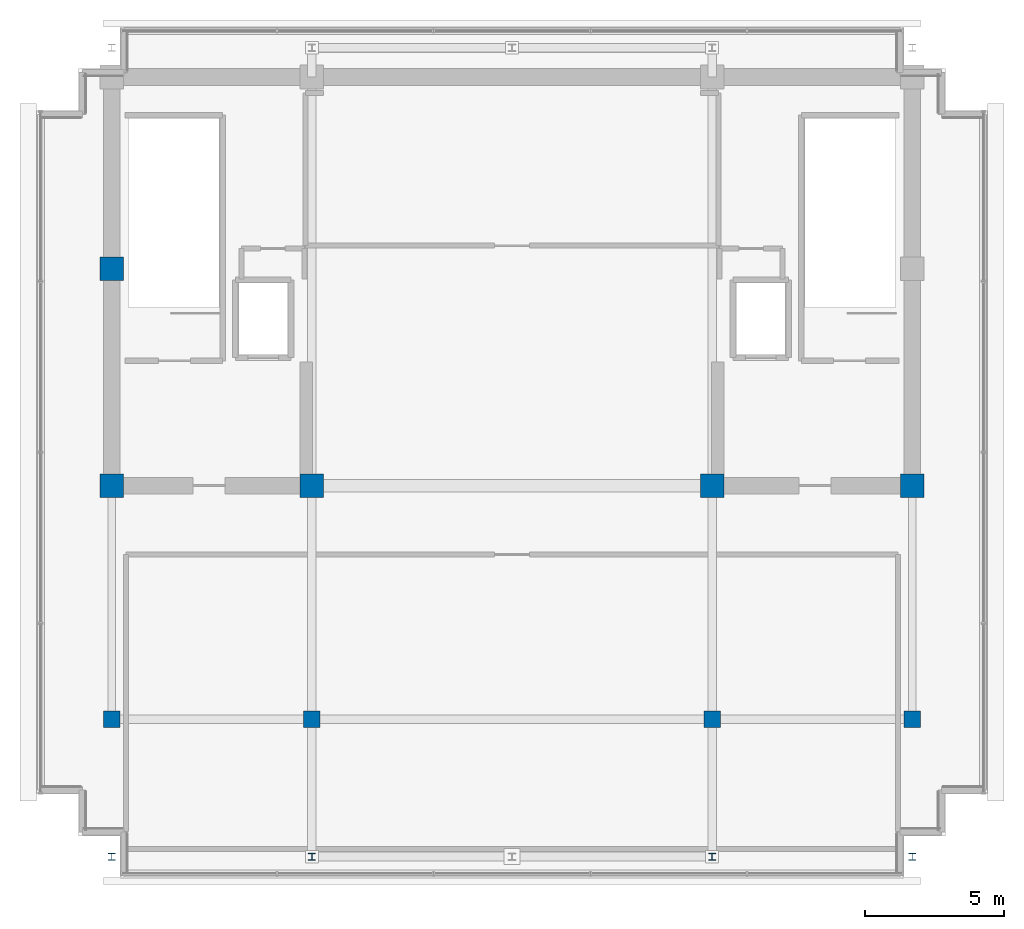
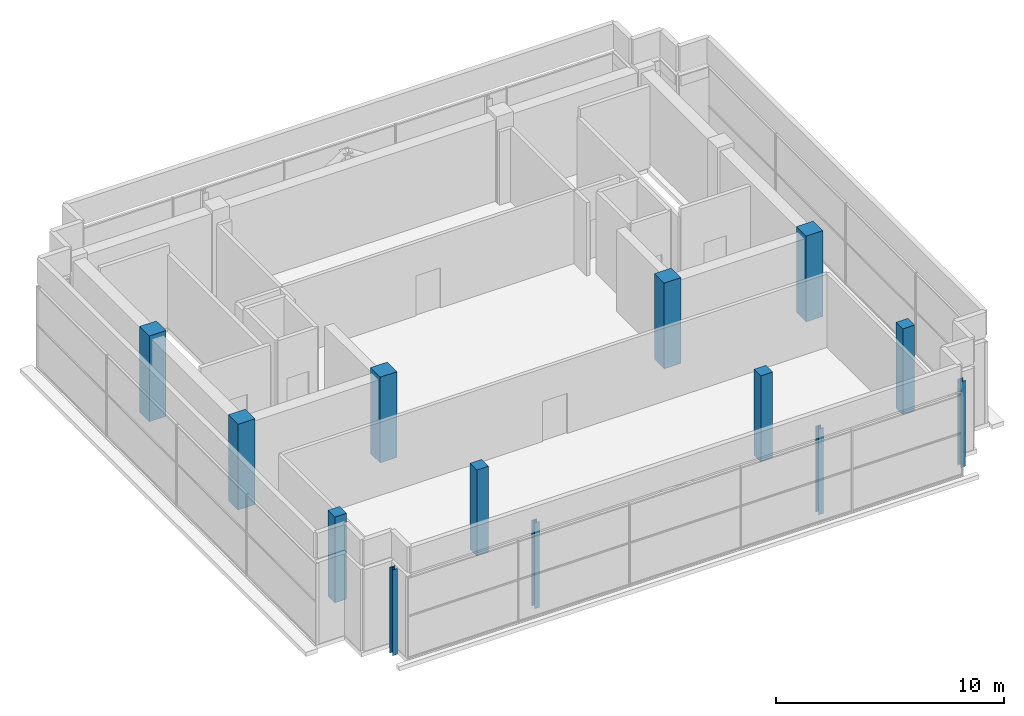
# One storey, part 1 of 22: 13 columns.
"""IFC4 building model written with IfcOpenShell, lengths in metres."""

import ifcopenshell
import ifcopenshell.guid

model = None  # the IFC model being written
_history = None  # IfcOwnerHistory: only IFC2X3 demands one
_inside = {}  # id of a spatial element -> (the spatial element, [elements in it])
_under = {}  # id of a project, library or spatial element -> (it, [spatial elements below it])
_declared = {}  # id of a project -> (the project, [libraries it declares])
_typed = {}  # id of a type object -> (the type object, [elements of that type])
_made_of = {}  # id of a material, layer set ... -> (it, [elements and type objects made of it])


def new_model(schema):
    """Start an empty IFC model of exactly this schema.

    Asked for "IFC4X3", IfcOpenShell would pick the latest addendum, in which some entities
    have other attributes; the version numbers below select the first issue.
    IFC2X3 requires an IfcOwnerHistory on every rooted entity: one is made here for all.
    """
    global model, _history
    if schema == "IFC4X3":
        model = ifcopenshell.file(schema_version=(4, 3, 0, 0))
    else:
        model = ifcopenshell.file(schema=schema)
    _inside.clear()
    _under.clear()
    _declared.clear()
    _typed.clear()
    _made_of.clear()
    _history = None
    if model.schema == "IFC2X3":
        org = make("IfcOrganization", Name="unknown")
        user = make(
            "IfcPersonAndOrganization",
            ThePerson=make("IfcPerson", FamilyName="unknown"),
            TheOrganization=org,
        )
        app = make(
            "IfcApplication",
            ApplicationDeveloper=org,
            Version="unknown",
            ApplicationFullName="unknown",
            ApplicationIdentifier="unknown",
        )
        _history = make(
            "IfcOwnerHistory",
            OwningUser=user,
            OwningApplication=app,
            ChangeAction="ADDED",
            CreationDate=0,
        )
    return model


def make(cls, **values):
    """One entity of the class cls with the attributes given. An attribute that is None is left unset."""
    return model.create_entity(
        cls, **{name: value for name, value in values.items() if value is not None}
    )


def rooted(cls, **values):
    """An entity with a GlobalId (a new one), such as an element, a storey or a relation."""
    return make(cls, GlobalId=ifcopenshell.guid.new(), OwnerHistory=_history, **values)


def si_unit(unit_type, name, prefix=None):
    """IfcSIUnit, for example si_unit("LENGTHUNIT", "METRE", prefix="MILLI")."""
    return make("IfcSIUnit", UnitType=unit_type, Prefix=prefix, Name=name)


def assignment(units):
    """IfcUnitAssignment: the units of a project."""
    return None if units is None else make("IfcUnitAssignment", Units=units)


def point(xyz):
    """IfcCartesianPoint."""
    return None if xyz is None else make("IfcCartesianPoint", Coordinates=xyz)


def direction(xyz):
    """IfcDirection."""
    return None if xyz is None else make("IfcDirection", DirectionRatios=xyz)


def frame(location, z_axis=None, x_axis=None):
    """IfcAxis2Placement3D, a coordinate frame: its origin and axes. An axis left out is left unset."""
    return make(
        "IfcAxis2Placement3D",
        Location=point(location),
        Axis=direction(z_axis),
        RefDirection=direction(x_axis),
    )


def frame_2d(location, x_axis=None):
    """IfcAxis2Placement2D, a coordinate frame in the plane: its origin and x axis."""
    return make(
        "IfcAxis2Placement2D", Location=point(location), RefDirection=direction(x_axis)
    )


def origin():
    """The frame at (0, 0, 0) with its axes left unset."""
    return frame((0.0, 0.0, 0.0))


def origin_2d():
    """The frame at (0, 0) in the plane with its x axis left unset."""
    return frame_2d((0.0, 0.0))


def place(relative_to, where):
    """IfcLocalPlacement: puts the frame where relative to a parent placement (None: the world)."""
    return make(
        "IfcLocalPlacement", PlacementRelTo=relative_to, RelativePlacement=where
    )


def context(
    kind, dimensions, precision=None, world=None, true_north=None, identifier=None
):
    """IfcGeometricRepresentationContext, for example the 3D "Model" context."""
    return make(
        "IfcGeometricRepresentationContext",
        ContextIdentifier=identifier,
        ContextType=kind,
        CoordinateSpaceDimension=dimensions,
        Precision=precision,
        WorldCoordinateSystem=world,
        TrueNorth=true_north,
    )


def subcontext(parent, identifier, kind, view, scale=None):
    """IfcGeometricRepresentationSubContext, for example "Body" below "Model"."""
    return make(
        "IfcGeometricRepresentationSubContext",
        ContextIdentifier=identifier,
        ContextType=kind,
        ParentContext=parent,
        TargetScale=scale,
        TargetView=view,
    )


def project(units=None, contexts=None):
    """IfcProject with its units and contexts."""
    return rooted(
        "IfcProject",
        Name="project",
        RepresentationContexts=contexts,
        UnitsInContext=assignment(units),
    )


def spatial(cls, under=None, at=None, **own):
    """A site, building, storey or space (cls), placed at a placement, below another one or the project."""
    s = rooted(cls, ObjectPlacement=at, **own)
    if under is not None:
        _under.setdefault(under.id(), (under, []))[1].append(s)
    return s


def profile(cls, at=None, kind="AREA", **sizes):
    """A parametric profile (cls). Its sizes go by their IFC names, for example OverallWidth=200.0."""
    return make(cls, ProfileType=kind, Position=at, **sizes)


def rectangle(**sizes):
    """IfcRectangleProfileDef."""
    return profile("IfcRectangleProfileDef", **sizes)


def i_section(**sizes):
    """IfcIShapeProfileDef."""
    return profile("IfcIShapeProfileDef", **sizes)


def extrude(swept, where, along, depth):
    """IfcExtrudedAreaSolid: the profile swept, set in the frame where, extruded along a direction by depth."""
    return make(
        "IfcExtrudedAreaSolid",
        SweptArea=swept,
        Position=where,
        ExtrudedDirection=direction(along),
        Depth=depth,
    )


def shape(context_of_items, identifier, shape_type, items):
    """IfcShapeRepresentation: the items that make up one representation, for example the "Body"."""
    return make(
        "IfcShapeRepresentation",
        ContextOfItems=context_of_items,
        RepresentationIdentifier=identifier,
        RepresentationType=shape_type,
        Items=items,
    )


def material(Name=None, Category=None):
    """IfcMaterial."""
    return make("IfcMaterial", Name=Name, Category=Category)


def material_profile(
    of_material, cross_section, Name=None, Category=None, Priority=None
):
    """IfcMaterialProfile: a cross section and its material."""
    return make(
        "IfcMaterialProfile",
        Name=Name,
        Material=of_material,
        Profile=cross_section,
        Priority=Priority,
        Category=Category,
    )


def profile_set(profiles, Name=None, composite=None):
    """IfcMaterialProfileSet."""
    return make(
        "IfcMaterialProfileSet",
        Name=Name,
        MaterialProfiles=profiles,
        CompositeProfile=composite,
    )


def made_of(thing, what):
    """Note that an element or type object is made of a material, layer set ...; save() writes the relation."""
    if what is not None:
        _made_of.setdefault(what.id(), (what, []))[1].append(thing)
    return thing


def type_object(cls, material=None, **own):
    """A type object (cls), such as IfcWallType, which elements share."""
    return made_of(rooted(cls, **own), material)


def element(
    cls,
    number,
    at=None,
    inside=None,
    cuts=None,
    type_object=None,
    material=None,
    context=None,
    identifier="Body",
    shape_type=None,
    held_by="IfcProductDefinitionShape",
    body=None,
    shapes=None,
    **own,
):
    """One element of the class cls, such as IfcWall. Its Tag is "e" and its number.

    at: its placement. inside: the storey or other place that contains it. cuts: it is an
    opening in that element (IfcRelVoidsElement). A single representation is given by context,
    identifier, shape_type and body (its items); several are given by shapes. held_by: the class
    of the entity that holds the representations. save() writes the other relations.
    """
    e = rooted(cls, Tag="e%d" % number, ObjectPlacement=at, **own)
    if body is not None:
        shapes = [shape(context, identifier, shape_type, body)]
    if shapes is not None:
        e.Representation = make(held_by, Representations=shapes)
    if inside is not None:
        _inside.setdefault(inside.id(), (inside, []))[1].append(e)
    if cuts is not None:
        rooted(
            "IfcRelVoidsElement", RelatingBuildingElement=cuts, RelatedOpeningElement=e
        )
    if type_object is not None:
        _typed.setdefault(type_object.id(), (type_object, []))[1].append(e)
    return made_of(e, material)


def aggregate(whole, parts):
    """IfcRelAggregates: a whole, such as a stair, and the parts it consists of."""
    return rooted("IfcRelAggregates", RelatingObject=whole, RelatedObjects=parts)


def save(model, path):
    """Write the relations noted so far, then the file.

    IfcRelAggregates (storeys below a building ...), IfcRelContainedInSpatialStructure (elements
    in a storey), IfcRelDefinesByType, IfcRelAssociatesMaterial and IfcRelDeclares: one each for
    every whole, place, type object, material and project.
    """
    for whole, parts in _under.values():
        aggregate(whole, parts)
    for where, things in _inside.values():
        rooted(
            "IfcRelContainedInSpatialStructure",
            RelatedElements=things,
            RelatingStructure=where,
        )
    for kind, things in _typed.values():
        rooted("IfcRelDefinesByType", RelatedObjects=things, RelatingType=kind)
    for what, things in _made_of.values():
        rooted("IfcRelAssociatesMaterial", RelatedObjects=things, RelatingMaterial=what)
    for by, libraries in _declared.values():
        rooted("IfcRelDeclares", RelatingContext=by, RelatedDefinitions=libraries)
    model.write(path)


model = new_model("IFC4")

# Units and contexts
model_context = context("Model", 3, precision=1e-05, world=origin(), true_north=direction((0.0, 1.0)))
body_context = subcontext(model_context, "Body", "Model", "MODEL_VIEW")
ifc_project = project(units=[si_unit("LENGTHUNIT", "METRE"), si_unit("AREAUNIT", "SQUARE_METRE"), si_unit("VOLUMEUNIT", "CUBIC_METRE"), si_unit("PLANEANGLEUNIT", "RADIAN"), si_unit("MASSUNIT", "GRAM", prefix="KILO")], contexts=[model_context])

# Site, building, storey
site_placement = place(None, origin())
site = spatial("IfcSite", under=ifc_project, at=site_placement, CompositionType="ELEMENT")
building_placement = place(site_placement, origin())
building = spatial("IfcBuilding", under=site, at=building_placement, Name="Zarnakvel Exchange Tower", CompositionType="ELEMENT")
storey_placement = place(building_placement, frame((0.0, 0.0, 299.199951171875)))
storey = spatial("IfcBuildingStorey", under=building, at=storey_placement, Name="Crown L83", CompositionType="ELEMENT", Elevation=299.199951171875)

# Columns
ifc_material_1 = material(Name="Concrete C50/60", Category="concrete")
ifc_material_profile_1 = material_profile(ifc_material_1, rectangle(XDim=0.85009765625, YDim=0.85009765625, at=origin_2d()))
ifc_profile_set_1 = profile_set([ifc_material_profile_1], Name="Concrete C50/60")
column_type_1 = type_object("IfcColumnType", Name="CC-03", PredefinedType="COLUMN", material=ifc_profile_set_1)
for number, where, z_axis, x_axis, name in (
    (1, (-14.39990234375, -1.199951171875, 0.0), (0.0, 0.0, 1.0), (1.0, 0.0, 0.0), "Crown L83 Column C-4D (CC-03)"),
    (2, (-7.199951171875, -1.199951171875, 0.0), (0.0, 0.0, 1.0), (1.0, 0.0, 0.0), "Crown L83 Column C-5D (CC-03)"),
    (3, (7.199951171875, -1.199951171875, 0.0), (0.0, 0.0, 1.0), (1.0, 0.0, 0.0), "Crown L83 Column C-8D (CC-03)"),
    (4, (14.39990234375, -1.199951171875, 0.0), (0.0, 0.0, 1.0), (1.0, 0.0, 0.0), "Crown L83 Column C-9D (CC-03)"),
    (5, (-14.39990234375, 6.60009765625, 0.0), (0.0, 0.0, 1.0), (1.0, 0.0, 0.0), "Crown L83 Column C-4E (CC-03)"),
):
    element("IfcColumn", number, at=place(storey_placement, frame(where, z_axis=z_axis, x_axis=x_axis)), inside=storey, type_object=column_type_1, Name=name, PredefinedType="COLUMN", context=body_context, shape_type="SweptSolid", body=[
        extrude(rectangle(XDim=0.85009765625, YDim=0.85009765625, at=origin_2d()), origin(), (0.0, 0.0, 1.0), 4.60009765625),
    ])
ifc_material_2 = material(Name="Steel S355", Category="steel")
ifc_material_profile_2 = material_profile(ifc_material_2, i_section(OverallWidth=0.260009765625, OverallDepth=0.260009765625, WebThickness=0.010009765625, FlangeThickness=0.017578125, FilletRadius=0.02392578125, at=origin_2d()))
ifc_profile_set_2 = profile_set([ifc_material_profile_2], Name="Steel S355")
column_type_2 = type_object("IfcColumnType", Name="CF-02", PredefinedType="COLUMN", material=ifc_profile_set_2)
for number, where, z_axis, x_axis, name in (
    (6, (-14.39990234375, -14.550048828125, 0.0), (0.0, 0.0, 1.0), (1.0, 0.0, 0.0), "Crown L83 Column CS-4 (CF-02)"),
    (7, (-7.199951171875, -14.550048828125, 0.0), (0.0, 0.0, 1.0), (1.0, 0.0, 0.0), "Crown L83 Column CS-5 (CF-02)"),
    (8, (7.199951171875, -14.550048828125, 0.0), (0.0, 0.0, 1.0), (1.0, 0.0, 0.0), "Crown L83 Column CS-8 (CF-02)"),
    (9, (14.39990234375, -14.550048828125, 0.0), (0.0, 0.0, 1.0), (1.0, 0.0, 0.0), "Crown L83 Column CS-9 (CF-02)"),
):
    element("IfcColumn", number, at=place(storey_placement, frame(where, z_axis=z_axis, x_axis=x_axis)), inside=storey, type_object=column_type_2, Name=name, PredefinedType="COLUMN", context=body_context, shape_type="SweptSolid", body=[
        extrude(i_section(OverallWidth=0.260009765625, OverallDepth=0.260009765625, WebThickness=0.010009765625, FlangeThickness=0.017578125, FilletRadius=0.02392578125, at=origin_2d()), origin(), (0.0, 0.0, 1.0), 4.60009765625),
    ])
ifc_material_profile_3 = material_profile(ifc_material_1, rectangle(XDim=0.60009765625, YDim=0.60009765625, at=origin_2d()))
ifc_profile_set_3 = profile_set([ifc_material_profile_3], Name="Concrete C50/60")
column_type_3 = type_object("IfcColumnType", Name="TC-06", PredefinedType="COLUMN", material=ifc_profile_set_3)
for number, where, z_axis, x_axis, name in (
    (10, (-14.39990234375, -9.60009765625, 0.0), (0.0, 0.0, 1.0), (1.0, 0.0, 0.0), "Crown L83 Column CC-4C (TC-06)"),
    (11, (-7.199951171875, -9.60009765625, 0.0), (0.0, 0.0, 1.0), (1.0, 0.0, 0.0), "Crown L83 Column CC-5C (TC-06)"),
    (12, (7.199951171875, -9.60009765625, 0.0), (0.0, 0.0, 1.0), (1.0, 0.0, 0.0), "Crown L83 Column CC-8C (TC-06)"),
    (13, (14.39990234375, -9.60009765625, 0.0), (0.0, 0.0, 1.0), (1.0, 0.0, 0.0), "Crown L83 Column CC-9C (TC-06)"),
):
    element("IfcColumn", number, at=place(storey_placement, frame(where, z_axis=z_axis, x_axis=x_axis)), inside=storey, type_object=column_type_3, Name=name, PredefinedType="COLUMN", context=body_context, shape_type="SweptSolid", body=[
        extrude(rectangle(XDim=0.60009765625, YDim=0.60009765625, at=origin_2d()), origin(), (0.0, 0.0, 1.0), 4.60009765625),
    ])

save(model, "model.ifc")
